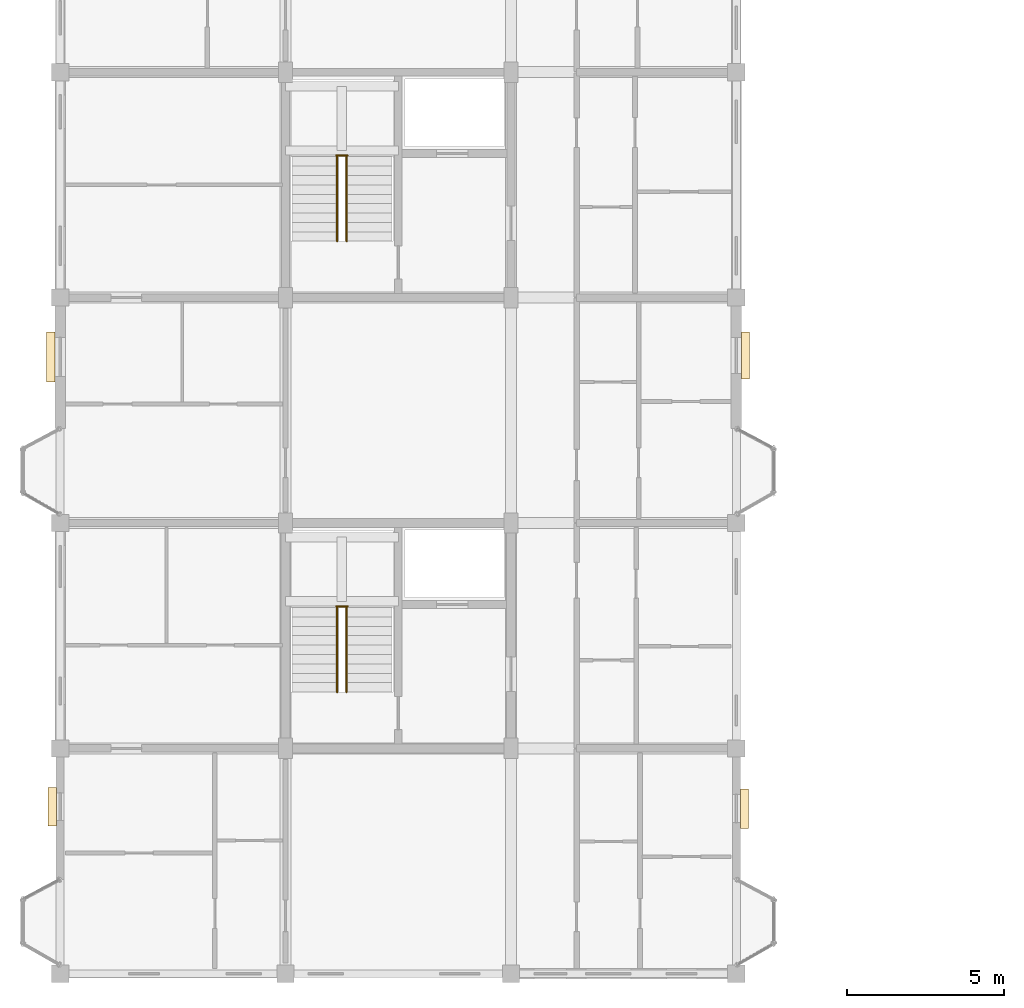
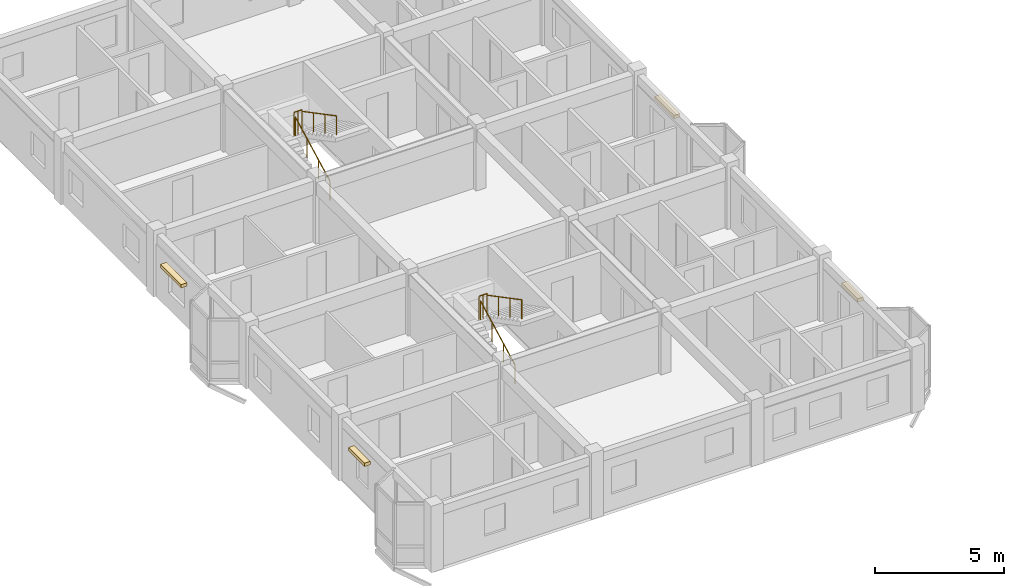
# One storey, part 75 of 77: 6 railings, 4 coverings.
"""IFC4 building model written with IfcOpenShell, lengths in metres."""

from ifc_helpers import new_model, si_unit, direction, frame, origin, origin_2d, place, context, subcontext, project, spatial, rectangle, circle, extrude, material, layer, layer_set, type_object, element, save


model = new_model("IFC4")

# Units and contexts
model_context = context("Model", 3, precision=1e-05, world=origin(), true_north=direction((0.0, 1.0)))
body_context = subcontext(model_context, "Body", "Model", "MODEL_VIEW")
ifc_project = project(units=[si_unit("LENGTHUNIT", "METRE"), si_unit("AREAUNIT", "SQUARE_METRE"), si_unit("VOLUMEUNIT", "CUBIC_METRE"), si_unit("PLANEANGLEUNIT", "RADIAN"), si_unit("MASSUNIT", "GRAM", prefix="KILO"), si_unit("THERMODYNAMICTEMPERATUREUNIT", "KELVIN"), si_unit("POWERUNIT", "WATT")], contexts=[model_context])

# Site, building, storey
site_placement = place(None, origin())
site = spatial("IfcSite", under=ifc_project, at=site_placement, CompositionType="ELEMENT")
building_placement = place(site_placement, origin())
building = spatial("IfcBuilding", under=site, at=building_placement, Name="Tavuni Mirador Residences", CompositionType="ELEMENT")
storey_placement = place(building_placement, frame((0.0, 0.0, 17.10009765625)))
storey = spatial("IfcBuildingStorey", under=building, at=storey_placement, Name="L05", CompositionType="ELEMENT", Elevation=17.10009765625)

# Coverings
ifc_material_1 = material(Name="Natural coral limestone", Category="masonry")
ifc_layer = layer(ifc_material_1, 0.054931640625, Name="Natural coral limestone", Category="masonry")
ifc_layer_set = layer_set([ifc_layer], Name="Natural coral limestone")
covering_type = type_object("IfcCoveringType", Name="CVT-CLAD-CORAL", PredefinedType="CLADDING", material=ifc_layer_set)
covering_1_placement = place(storey_placement, frame((25.45458984375, 70.077392578125, 2.16015625), z_axis=(0.0, 0.0, 1.0), x_axis=(0.0, 1.0, 0.0)))
element("IfcCovering", 1, at=covering_1_placement, inside=storey, type_object=covering_type, Name="HOOD-0418", PredefinedType="CLADDING", context=body_context, shape_type="SweptSolid", body=[
    extrude(rectangle(XDim=1.260009765625, YDim=0.260009765625, at=origin_2d()), origin(), (0.0, 0.0, 1.0), 0.159912109375),
])
covering_2_placement = place(storey_placement, frame((25.491943359375, 84.547607421875, 2.16015625), z_axis=(0.0, 0.0, 1.0), x_axis=(0.0, 1.0, 0.0)))
element("IfcCovering", 2, at=covering_2_placement, inside=storey, type_object=covering_type, Name="HOOD-0419", PredefinedType="CLADDING", context=body_context, shape_type="SweptSolid", body=[
    extrude(rectangle(XDim=1.5, YDim=0.260009765625, at=origin_2d()), origin(), (0.0, 0.0, 1.0), 0.159912109375),
])
covering_3_placement = place(storey_placement, frame((3.300537109375, 84.507568359375, 1.94970703125), z_axis=(0.0, 0.0, 1.0), x_axis=(0.0, -1.0, 0.0)))
element("IfcCovering", 3, at=covering_3_placement, inside=storey, type_object=covering_type, Name="HOOD-0420", PredefinedType="CLADDING", context=body_context, shape_type="SweptSolid", body=[
    extrude(rectangle(XDim=1.60009765625, YDim=0.260009765625, at=origin_2d()), origin(), (0.0, 0.0, 1.0), 0.159912109375),
])
covering_4_placement = place(storey_placement, frame((3.345458984375, 70.137451171875, 2.06005859375), z_axis=(0.0, 0.0, 1.0), x_axis=(0.0, -1.0, 0.0)))
element("IfcCovering", 4, at=covering_4_placement, inside=storey, type_object=covering_type, Name="HOOD-0421", PredefinedType="CLADDING", context=body_context, shape_type="SweptSolid", body=[
    extrude(rectangle(XDim=1.239990234375, YDim=0.260009765625, at=origin_2d()), origin(), (0.0, 0.0, 1.0), 0.159912109375),
])

# Railings
ifc_material_2 = material(Name="Structural steel S355", Category="steel")
railing_type_1 = type_object("IfcRailingType", Name="RT-GR1120", PredefinedType="GUARDRAIL", material=ifc_material_2)
for number, where, name in (
    (5, (12.419921875, 76.5400390625, 1.574951171875), "GRD-HL-ST3-L05"),
    (6, (12.419921875, 90.93994140625, 1.574951171875), "GRD-HL-ST4-L05"),
):
    element("IfcRailing", number, at=place(storey_placement, frame(where)), inside=storey, type_object=railing_type_1, Name=name, PredefinedType="GUARDRAIL", context=body_context, shape_type="SweptSolid", body=[
        extrude(circle(Radius=0.02392578125, at=origin_2d()), frame((0.0, 0.0, 1.09619140625), z_axis=(1.0, 0.0, 0.0), x_axis=(0.0, 1.0, 0.0)), (0.0, 0.0, 1.0), 0.360107421875),
        extrude(circle(Radius=0.02099609375, at=origin_2d()), origin(), (0.0, 0.0, 1.0), 1.072021484375),
        extrude(circle(Radius=0.02099609375, at=origin_2d()), frame((0.18017578125, 0.0, 0.0)), (0.0, 0.0, 1.0), 1.072021484375),
        extrude(circle(Radius=0.02099609375, at=origin_2d()), frame((0.360107421875, 0.0, 0.0)), (0.0, 0.0, 1.0), 1.072021484375),
    ])
railing_type_2 = type_object("IfcRailingType", Name="RT-HR920", PredefinedType="HANDRAIL", material=ifc_material_2)
railing_1_placement = place(storey_placement, frame((12.449951171875, 73.800048828125, 0.157470703125)))
element("IfcRailing", 7, at=railing_1_placement, inside=storey, type_object=railing_type_2, Name="HR-ST3-L05-F1", PredefinedType="HANDRAIL", context=body_context, shape_type="SweptSolid", body=[
    extrude(circle(Radius=0.02392578125, at=origin_2d()), frame((0.0, 0.0, 0.89599609375), z_axis=(0.0, 0.885397079081, 0.464835468048), x_axis=(-1.0, 0.0, 0.0)), (0.0, 0.0, 1.0), 3.04931640625),
    extrude(circle(Radius=0.02099609375, at=origin_2d()), origin(), (0.0, 0.0, 1.0), 0.871826171875),
    extrude(circle(Radius=0.02099609375, at=origin_2d()), frame((0.0, 0.89990234375, 0.472412109375)), (0.0, 0.0, 1.0), 0.871826171875),
    extrude(circle(Radius=0.02099609375, at=origin_2d()), frame((0.0, 1.800048828125, 0.945068359375)), (0.0, 0.0, 1.0), 0.871826171875),
    extrude(circle(Radius=0.02099609375, at=origin_2d()), frame((0.0, 2.699951171875, 1.41748046875)), (0.0, 0.0, 1.0), 0.871826171875),
])
railing_2_placement = place(storey_placement, frame((12.75, 76.5, 1.732421875)))
element("IfcRailing", 8, at=railing_2_placement, inside=storey, type_object=railing_type_2, Name="HR-ST3-L05-F2", PredefinedType="HANDRAIL", context=body_context, shape_type="SweptSolid", body=[
    extrude(circle(Radius=0.02392578125, at=origin_2d()), frame((0.0, 0.0, 0.89599609375), z_axis=(0.0, -0.885397079081, 0.464835468048), x_axis=(1.0, 0.0, 0.0)), (0.0, 0.0, 1.0), 3.04931640625),
    extrude(circle(Radius=0.02099609375, at=origin_2d()), origin(), (0.0, 0.0, 1.0), 0.871826171875),
    extrude(circle(Radius=0.02099609375, at=origin_2d()), frame((0.0, -0.89990234375, 0.472412109375)), (0.0, 0.0, 1.0), 0.871826171875),
    extrude(circle(Radius=0.02099609375, at=origin_2d()), frame((0.0, -1.800048828125, 0.945068359375)), (0.0, 0.0, 1.0), 0.871826171875),
    extrude(circle(Radius=0.02099609375, at=origin_2d()), frame((0.0, -2.699951171875, 1.41748046875)), (0.0, 0.0, 1.0), 0.871826171875),
])
railing_3_placement = place(storey_placement, frame((12.449951171875, 88.199951171875, 0.157470703125)))
element("IfcRailing", 9, at=railing_3_placement, inside=storey, type_object=railing_type_2, Name="HR-ST4-L05-F1", PredefinedType="HANDRAIL", context=body_context, shape_type="SweptSolid", body=[
    extrude(circle(Radius=0.02392578125, at=origin_2d()), frame((0.0, 0.0, 0.89599609375), z_axis=(0.0, 0.885397079081, 0.464835468048), x_axis=(-1.0, 0.0, 0.0)), (0.0, 0.0, 1.0), 3.04931640625),
    extrude(circle(Radius=0.02099609375, at=origin_2d()), origin(), (0.0, 0.0, 1.0), 0.871826171875),
    extrude(circle(Radius=0.02099609375, at=origin_2d()), frame((0.0, 0.89990234375, 0.472412109375)), (0.0, 0.0, 1.0), 0.871826171875),
    extrude(circle(Radius=0.02099609375, at=origin_2d()), frame((0.0, 1.800048828125, 0.945068359375)), (0.0, 0.0, 1.0), 0.871826171875),
    extrude(circle(Radius=0.02099609375, at=origin_2d()), frame((0.0, 2.699951171875, 1.41748046875)), (0.0, 0.0, 1.0), 0.871826171875),
])
railing_4_placement = place(storey_placement, frame((12.75, 90.89990234375, 1.732421875)))
element("IfcRailing", 10, at=railing_4_placement, inside=storey, type_object=railing_type_2, Name="HR-ST4-L05-F2", PredefinedType="HANDRAIL", context=body_context, shape_type="SweptSolid", body=[
    extrude(circle(Radius=0.02392578125, at=origin_2d()), frame((0.0, 0.0, 0.89599609375), z_axis=(0.0, -0.885397079081, 0.464835468048), x_axis=(1.0, 0.0, 0.0)), (0.0, 0.0, 1.0), 3.04931640625),
    extrude(circle(Radius=0.02099609375, at=origin_2d()), origin(), (0.0, 0.0, 1.0), 0.871826171875),
    extrude(circle(Radius=0.02099609375, at=origin_2d()), frame((0.0, -0.89990234375, 0.472412109375)), (0.0, 0.0, 1.0), 0.871826171875),
    extrude(circle(Radius=0.02099609375, at=origin_2d()), frame((0.0, -1.800048828125, 0.945068359375)), (0.0, 0.0, 1.0), 0.871826171875),
    extrude(circle(Radius=0.02099609375, at=origin_2d()), frame((0.0, -2.699951171875, 1.41748046875)), (0.0, 0.0, 1.0), 0.871826171875),
])

save(model, "model.ifc")
